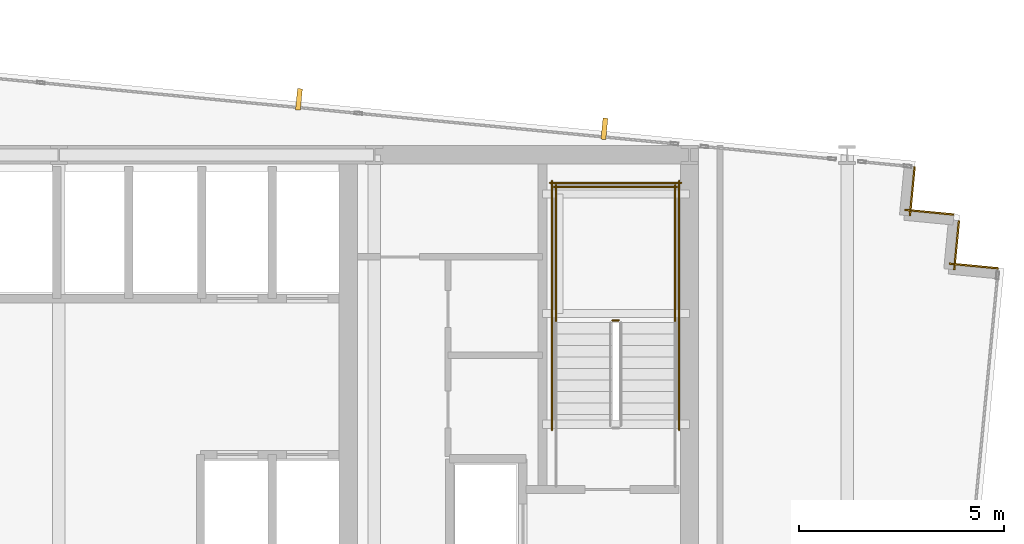
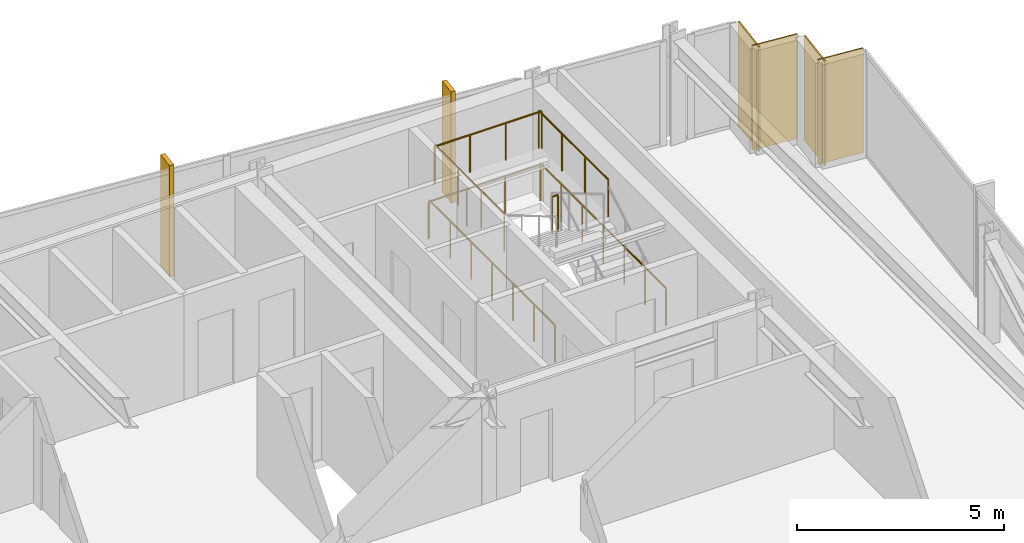
# One storey, part 37 of 37: 7 railings, 4 coverings, 2 shading devices.
"""IFC4 building model written with IfcOpenShell, lengths in metres."""

from ifc_helpers import new_model, si_unit, direction, frame, frame_2d, origin, origin_2d, place, context, subcontext, project, spatial, rectangle, circle, extrude, material, layer, layer_set, type_object, element, save


model = new_model("IFC4")

# Units and contexts
model_context = context("Model", 3, precision=1e-05, world=origin(), true_north=direction((0.0, 1.0)))
body_context = subcontext(model_context, "Body", "Model", "MODEL_VIEW")
ifc_project = project(units=[si_unit("LENGTHUNIT", "METRE"), si_unit("AREAUNIT", "SQUARE_METRE"), si_unit("VOLUMEUNIT", "CUBIC_METRE"), si_unit("PLANEANGLEUNIT", "RADIAN"), si_unit("MASSUNIT", "GRAM", prefix="KILO")], contexts=[model_context])

# Site, building, storey
site_placement = place(None, origin())
site = spatial("IfcSite", under=ifc_project, at=site_placement, CompositionType="ELEMENT")
building_placement = place(site_placement, origin())
building = spatial("IfcBuilding", under=site, at=building_placement, Name="Yelkora Congress Tower", CompositionType="ELEMENT")
storey_placement = place(building_placement, frame((0.0, 0.0, 168.800048828125)))
storey = spatial("IfcBuildingStorey", under=building, at=storey_placement, Name="L46", CompositionType="ELEMENT", Elevation=168.800048828125)

# Coverings
ifc_material_1 = material(Name="Anatolian bush-hammered limestone", Category="masonry")
ifc_layer_1 = layer(ifc_material_1, 0.0400390625)
ifc_layer_set_1 = layer_set([ifc_layer_1], Name="Anatolian bush-hammered limestone")
covering_type = type_object("IfcCoveringType", Name="COV-CLAD-SPANDREL-40", PredefinedType="CLADDING", material=ifc_layer_set_1)
covering_1_placement = place(storey_placement, frame((59.2431640625, 45.909912109375, 0.0), z_axis=(0.0, 0.0, 1.0), x_axis=(-0.095836473879, -0.995397091755, 0.0)))
element("IfcCovering", 1, at=covering_1_placement, inside=storey, type_object=covering_type, Name="L46 Anatolian Limestone Cladding EW-L46-SR11", PredefinedType="CLADDING", context=body_context, shape_type="SweptSolid", body=[
    extrude(rectangle(XDim=1.199951171875, YDim=0.0400390625, at=frame_2d((0.60009765625, 0.0))), origin(), (0.0, 0.0, 1.0), 3.079833984375),
])
for number, where, z_axis, x_axis, name in (
    (2, (59.006591796875, 44.86279296875, 0.0), (0.0, 0.0, 1.0), (0.995398960025, -0.095817067274, 0.0), "L46 Anatolian Limestone Cladding EW-L46-SR12"),
    (3, (60.322509765625, 44.6005859375, 0.0), (0.0, 0.0, 1.0), (-0.095817067274, -0.995398960025, 0.0), "L46 Anatolian Limestone Cladding EW-L46-SR13"),
):
    element("IfcCovering", number, at=place(storey_placement, frame(where, z_axis=z_axis, x_axis=x_axis)), inside=storey, type_object=covering_type, Name=name, PredefinedType="CLADDING", context=body_context, shape_type="SweptSolid", body=[
        extrude(rectangle(XDim=1.2001953125, YDim=0.0400390625, at=frame_2d((0.60009765625, 0.0))), origin(), (0.0, 0.0, 1.0), 3.079833984375),
    ])
covering_2_placement = place(storey_placement, frame((60.086181640625, 43.55322265625, 0.0), z_axis=(0.0, 0.0, 1.0), x_axis=(0.995397091755, -0.095836473879, 0.0)))
element("IfcCovering", 4, at=covering_2_placement, inside=storey, type_object=covering_type, Name="L46 Anatolian Limestone Cladding EW-L46-SR14", PredefinedType="CLADDING", context=body_context, shape_type="SweptSolid", body=[
    extrude(rectangle(XDim=1.199951171875, YDim=0.0400390625, at=frame_2d((0.60009765625, 0.0))), origin(), (0.0, 0.0, 1.0), 3.079833984375),
])

# Railings
ifc_material_2 = material(Name="Painted galvanised steel stair well guard with vertical infill", Category="steel")
ifc_layer_2 = layer(ifc_material_2, 0.06005859375)
ifc_layer_set_2 = layer_set([ifc_layer_2], Name="Painted galvanised steel stair well guard with vertical infill")
railing_type = type_object("IfcRailingType", Name="RAIL-STAIR-GUARD-1120", PredefinedType="GUARDRAIL", material=ifc_layer_set_2)
railing_1_placement = place(storey_placement, frame((52.0400390625, 42.169921875, 1.64990234375)))
element("IfcRailing", 5, at=railing_1_placement, inside=storey, type_object=railing_type, Name="ST-02 L46 Stair Well Guardrail 2", PredefinedType="GUARDRAIL", context=body_context, shape_type="SweptSolid", body=[
    extrude(circle(Radius=0.02392578125, at=origin_2d()), frame((0.0, 0.0, 1.09619140625), z_axis=(-1.0, 0.0, 0.0), x_axis=(0.0, -1.0, 0.0)), (0.0, 0.0, 1.0), 0.16015625),
    extrude(circle(Radius=0.02099609375, at=origin_2d()), origin(), (0.0, 0.0, 1.0), 1.072021484375),
    extrude(circle(Radius=0.02099609375, at=origin_2d()), frame((-0.16015625, 0.0, 0.0)), (0.0, 0.0, 1.0), 1.072021484375),
])
for number, where, name in (
    (6, (53.409912109375, 42.1201171875, 1.64990234375), "ST-02 L46 Stair Well Guardrail 3"),
    (7, (50.510009765625, 42.1201171875, 1.64990234375), "ST-02 L46 Stair Well Guardrail 4"),
):
    element("IfcRailing", number, at=place(storey_placement, frame(where)), inside=storey, type_object=railing_type, Name=name, PredefinedType="GUARDRAIL", context=body_context, shape_type="SweptSolid", body=[
        extrude(circle(Radius=0.02392578125, at=origin_2d()), frame((0.0, 0.0, 1.09619140625), z_axis=(0.0, 1.0, 0.0), x_axis=(-1.0, 0.0, 0.0)), (0.0, 0.0, 1.0), 3.349853515625),
        extrude(circle(Radius=0.02099609375, at=origin_2d()), origin(), (0.0, 0.0, 1.0), 1.072021484375),
        extrude(circle(Radius=0.02099609375, at=origin_2d()), frame((0.0, 1.11669921875, 0.0)), (0.0, 0.0, 1.0), 1.072021484375),
        extrude(circle(Radius=0.02099609375, at=origin_2d()), frame((0.0, 2.233154296875, 0.0)), (0.0, 0.0, 1.0), 1.072021484375),
        extrude(circle(Radius=0.02099609375, at=origin_2d()), frame((0.0, 3.349853515625, 0.0)), (0.0, 0.0, 1.0), 1.072021484375),
    ])
railing_2_placement = place(storey_placement, frame((53.4599609375, 45.419921875, 1.64990234375)))
element("IfcRailing", 8, at=railing_2_placement, inside=storey, type_object=railing_type, Name="ST-02 L46 Stair Well Guardrail 5", PredefinedType="GUARDRAIL", context=body_context, shape_type="SweptSolid", body=[
    extrude(circle(Radius=0.02392578125, at=origin_2d()), frame((0.0, 0.0, 1.09619140625), z_axis=(-1.0, 0.0, 0.0), x_axis=(0.0, -1.0, 0.0)), (0.0, 0.0, 1.0), 3.0),
    extrude(circle(Radius=0.02099609375, at=origin_2d()), origin(), (0.0, 0.0, 1.0), 1.072021484375),
    extrude(circle(Radius=0.02099609375, at=origin_2d()), frame((-1.0, 0.0, 0.0)), (0.0, 0.0, 1.0), 1.072021484375),
    extrude(circle(Radius=0.02099609375, at=origin_2d()), frame((-2.0, 0.0, 0.0)), (0.0, 0.0, 1.0), 1.072021484375),
    extrude(circle(Radius=0.02099609375, at=origin_2d()), frame((-3.0, 0.0, 0.0)), (0.0, 0.0, 1.0), 1.072021484375),
])
for number, where, name in (
    (9, (53.510009765625, 39.5, 0.0), "ST-02 L46 Stair Well Guardrail 10"),
    (10, (50.409912109375, 39.5, 0.0), "ST-02 L46 Stair Well Guardrail 11"),
):
    element("IfcRailing", number, at=place(storey_placement, frame(where)), inside=storey, type_object=railing_type, Name=name, PredefinedType="GUARDRAIL", context=body_context, shape_type="SweptSolid", body=[
        extrude(circle(Radius=0.02392578125, at=origin_2d()), frame((0.0, 0.0, 1.09619140625), z_axis=(0.0, 1.0, 0.0), x_axis=(-1.0, 0.0, 0.0)), (0.0, 0.0, 1.0), 6.070068359375),
        extrude(circle(Radius=0.02099609375, at=origin_2d()), origin(), (0.0, 0.0, 1.0), 1.072021484375),
        extrude(circle(Radius=0.02099609375, at=origin_2d()), frame((0.0, 1.01171875, 0.0)), (0.0, 0.0, 1.0), 1.072021484375),
        extrude(circle(Radius=0.02099609375, at=origin_2d()), frame((0.0, 2.0234375, 0.0)), (0.0, 0.0, 1.0), 1.072021484375),
        extrude(circle(Radius=0.02099609375, at=origin_2d()), frame((0.0, 3.03515625, 0.0)), (0.0, 0.0, 1.0), 1.072021484375),
        extrude(circle(Radius=0.02099609375, at=origin_2d()), frame((0.0, 4.046630859375, 0.0)), (0.0, 0.0, 1.0), 1.072021484375),
        extrude(circle(Radius=0.02099609375, at=origin_2d()), frame((0.0, 5.058349609375, 0.0)), (0.0, 0.0, 1.0), 1.072021484375),
        extrude(circle(Radius=0.02099609375, at=origin_2d()), frame((0.0, 6.070068359375, 0.0)), (0.0, 0.0, 1.0), 1.072021484375),
    ])
railing_3_placement = place(storey_placement, frame((53.56005859375, 45.52001953125, 0.0)))
element("IfcRailing", 11, at=railing_3_placement, inside=storey, type_object=railing_type, Name="ST-02 L46 Stair Well Guardrail 12", PredefinedType="GUARDRAIL", context=body_context, shape_type="SweptSolid", body=[
    extrude(circle(Radius=0.02392578125, at=origin_2d()), frame((0.0, 0.0, 1.09619140625), z_axis=(-1.0, 0.0, 0.0), x_axis=(0.0, -1.0, 0.0)), (0.0, 0.0, 1.0), 3.199951171875),
    extrude(circle(Radius=0.02099609375, at=origin_2d()), origin(), (0.0, 0.0, 1.0), 1.072021484375),
    extrude(circle(Radius=0.02099609375, at=origin_2d()), frame((-1.066650390625, 0.0, 0.0)), (0.0, 0.0, 1.0), 1.072021484375),
    extrude(circle(Radius=0.02099609375, at=origin_2d()), frame((-2.13330078125, 0.0, 0.0)), (0.0, 0.0, 1.0), 1.072021484375),
    extrude(circle(Radius=0.02099609375, at=origin_2d()), frame((-3.199951171875, 0.0, 0.0)), (0.0, 0.0, 1.0), 1.072021484375),
])

# Shading devices
ifc_material_3 = material(Name="Champagne anodised aluminium", Category="aluminium")
ifc_layer_3 = layer(ifc_material_3, 3.300048828125)
ifc_layer_set_3 = layer_set([ifc_layer_3], Name="Champagne anodised aluminium")
shading_device_type = type_object("IfcShadingDeviceType", Name="SHD-FIN-ALU-520", PredefinedType="USERDEFINED", material=ifc_layer_set_3)
for number, where, z_axis, x_axis, name in (
    (12, (44.248291015625, 47.5546875, -0.0302734375), (0.0, 0.0, 1.0), (0.995396198367, -0.09584575252, 0.0), "L46 Vertical Anodised Solar Fin 10-5"),
    (13, (51.68798828125, 46.83837890625, -0.0302734375), (0.0, 0.0, 1.0), (0.995396198367, -0.09584575252, 0.0), "L46 Vertical Anodised Solar Fin 10-6"),
):
    element("IfcShadingDevice", number, at=place(storey_placement, frame(where, z_axis=z_axis, x_axis=x_axis)), inside=storey, type_object=shading_device_type, Name=name, ObjectType="FIN", PredefinedType="USERDEFINED", context=body_context, shape_type="SweptSolid", body=[
        extrude(rectangle(XDim=0.1201171875, YDim=0.52001953125, at=origin_2d()), origin(), (0.0, 0.0, 1.0), 3.280029296875),
    ])

save(model, "model.ifc")
